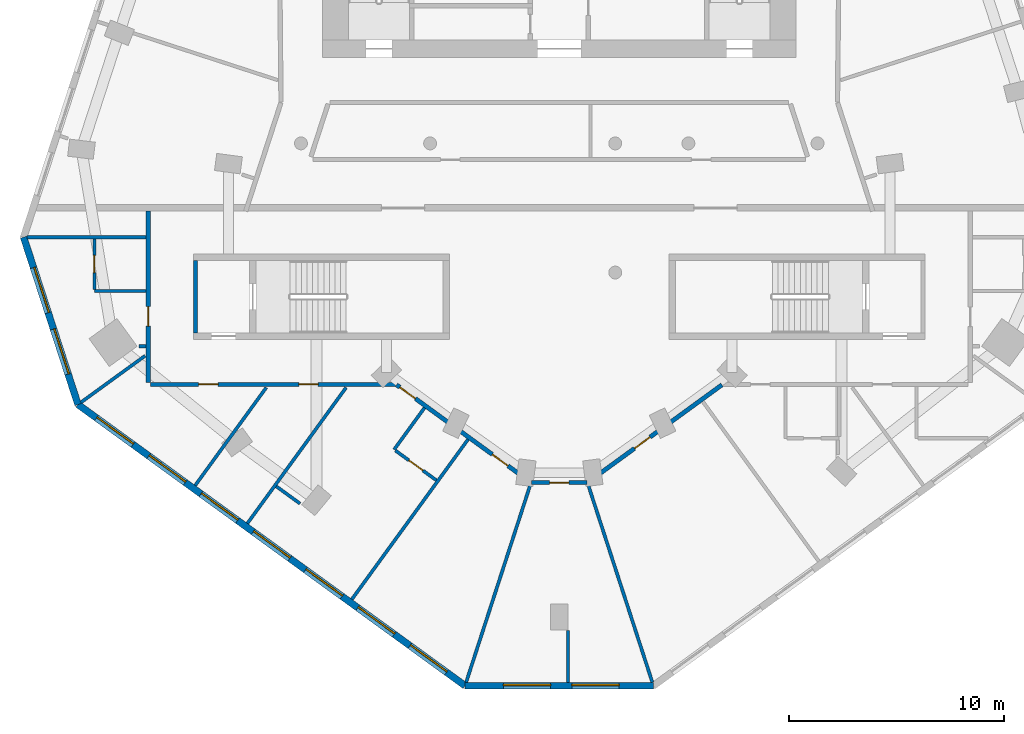
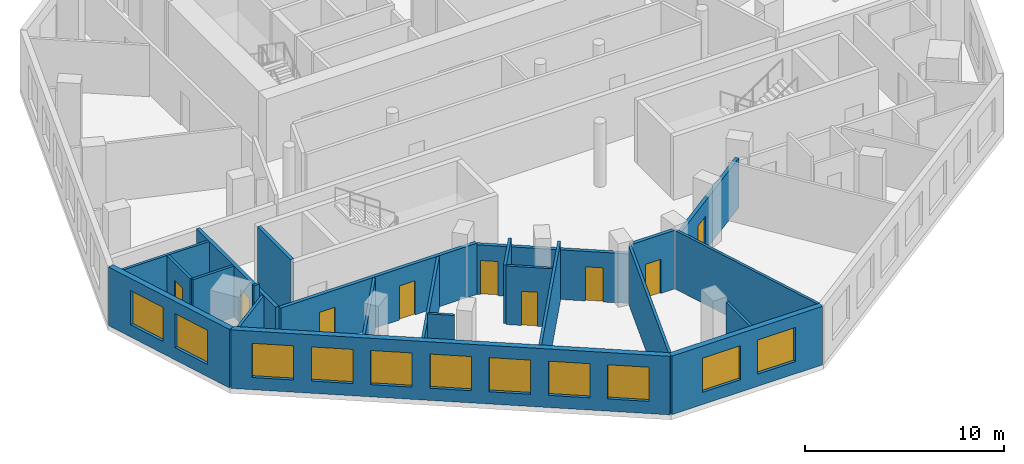
# One storey, part 2 of 9: 23 walls, 11 windows, 9 doors, 20 openings.
"""IFC4 building model written with IfcOpenShell, lengths in metres."""

from ifc_helpers import new_model, si_unit, direction, frame, frame_2d, origin, place, context, subcontext, project, spatial, rectangle, extrude, material, layer, layer_set, type_object, element, fill, save


model = new_model("IFC4")

# Units and contexts
model_context = context("Model", 3, precision=1e-05, world=origin(), true_north=direction((0.0, 1.0)))
body_context = subcontext(model_context, "Body", "Model", "MODEL_VIEW")
ifc_project = project(units=[si_unit("LENGTHUNIT", "METRE"), si_unit("AREAUNIT", "SQUARE_METRE"), si_unit("VOLUMEUNIT", "CUBIC_METRE"), si_unit("PLANEANGLEUNIT", "RADIAN"), si_unit("MASSUNIT", "GRAM", prefix="KILO")], contexts=[model_context])

# Site, building, storey
site_placement = place(None, origin())
site = spatial("IfcSite", under=ifc_project, at=site_placement, CompositionType="ELEMENT")
building_placement = place(site_placement, origin())
building = spatial("IfcBuilding", under=site, at=building_placement, Name="White Candle Pilgrim Tower", CompositionType="ELEMENT")
storey_placement = place(building_placement, frame((0.0, 0.0, 204.300048828125)))
storey = spatial("IfcBuildingStorey", under=building, at=storey_placement, Name="L47", CompositionType="ELEMENT", Elevation=204.300048828125)

# Wall
ifc_material_1 = material(Name="Concrete C50/60", Category="concrete")
ifc_layer_1 = layer(ifc_material_1, 0.199951171875)
ifc_layer_set_1 = layer_set([ifc_layer_1], Name="Core wall 200 mm Concrete C50/60")
wall_type_1 = type_object("IfcWallType", Name="Core wall 200 mm Concrete C50/60", PredefinedType="SHEAR", material=ifc_layer_set_1)
wall_1_placement = place(storey_placement, frame((53.10009765625, 58.199951171875, 0.0), z_axis=(0.0, 0.0, 1.0), x_axis=(0.0, 1.0, 0.0)))
element("IfcWall", 1, at=wall_1_placement, inside=storey, type_object=wall_type_1, Name="WL-L47-C03", PredefinedType="SHEAR", context=body_context, shape_type="SweptSolid", body=[
    extrude(rectangle(XDim=3.35009765625, YDim=0.199951171875, at=frame_2d((1.675048828125, 0.0))), origin(), (0.0, 0.0, 1.0), 3.89990234375),
])

# Wall, opening, door
ifc_material_2 = material(Name="Gypsum board on steel studs", Category="steel")
ifc_layer_2 = layer(ifc_material_2, 0.199951171875)
ifc_layer_set_2 = layer_set([ifc_layer_2], Name="Corridor wall 200 mm EI 45")
wall_type_2 = type_object("IfcWallType", Name="Corridor wall 200 mm EI 45", PredefinedType="PARTITIONING", material=ifc_layer_set_2)
wall_2_placement = place(storey_placement, frame((77.55908203125, 55.781005859375, 0.0), z_axis=(0.0, 0.0, 1.0), x_axis=(-0.80901190539, -0.587792256616, 0.0)))
wall_2 = element("IfcWall", 2, at=wall_2_placement, inside=storey, type_object=wall_type_2, Name="WL-L47-P008", PredefinedType="PARTITIONING", context=body_context, shape_type="SweptSolid", body=[
    extrude(rectangle(XDim=7.691162109375, YDim=0.199951171875, at=frame_2d((3.845703125, 0.0))), origin(), (0.0, 0.0, 1.0), 3.050048828125),
])
opening_1_placement = place(wall_2_placement, frame((4.125, 0.0, 0.0)))
opening_1 = element("IfcOpeningElement", 3, at=opening_1_placement, cuts=wall_2, Name="Opening T14-109", PredefinedType="OPENING", context=body_context, shape_type="SweptSolid", body=[
    extrude(rectangle(XDim=0.89990234375, YDim=2.10009765625, at=frame_2d((0.449951171875, 1.050048828125))), frame((0.0, 0.10986328125, 0.0), z_axis=(0.0, -1.0, 0.0), x_axis=(1.0, 0.0, 0.0)), (0.0, 0.0, 1.0), 0.219970703125),
])
ifc_material_3 = material(Name="Steel door leaf", Category="steel")
door_type_1 = type_object("IfcDoorType", Name="Fire door 900 x 2100 EI 30", OperationType="NOTDEFINED", PredefinedType="DOOR", material=ifc_material_3)
door_1_placement = place(opening_1_placement, origin())
door_1 = element("IfcDoor", 4, at=door_1_placement, inside=storey, type_object=door_type_1, Name="Door T14-109", OperationType="SINGLE_SWING_LEFT", OverallHeight=2.10009765625, OverallWidth=0.89990234375, PredefinedType="DOOR", context=body_context, shape_type="SweptSolid", body=[
    extrude(rectangle(XDim=0.89990234375, YDim=2.10009765625, at=frame_2d((0.449951171875, 1.050048828125))), frame((0.0, 0.02490234375, 0.0), z_axis=(0.0, -1.0, 0.0), x_axis=(1.0, 0.0, 0.0)), (0.0, 0.0, 1.0), 0.050048828125),
])
fill(opening_1, door_1)

wall_3_placement = place(storey_placement, frame((71.278076171875, 51.2412109375, 0.0), z_axis=(0.0, 0.0, 1.0), x_axis=(-1.0, 0.0, 0.0)))
wall_3 = element("IfcWall", 5, at=wall_3_placement, inside=storey, type_object=wall_type_2, Name="WL-L47-P009", PredefinedType="PARTITIONING", context=body_context, shape_type="SweptSolid", body=[
    extrude(rectangle(XDim=2.55615234375, YDim=0.199951171875, at=frame_2d((1.278076171875, 0.0))), origin(), (0.0, 0.0, 1.0), 3.599853515625),
])
opening_2_placement = place(wall_3_placement, frame((0.827880859375, 0.0, 0.0)))
opening_2 = element("IfcOpeningElement", 6, at=opening_2_placement, cuts=wall_3, Name="Opening T14-108", PredefinedType="OPENING", context=body_context, shape_type="SweptSolid", body=[
    extrude(rectangle(XDim=0.89990234375, YDim=2.10009765625, at=frame_2d((0.449951171875, 1.050048828125))), frame((0.0, 0.10986328125, 0.0), z_axis=(0.0, -1.0, 0.0), x_axis=(1.0, 0.0, 0.0)), (0.0, 0.0, 1.0), 0.219970703125),
])
door_2_placement = place(opening_2_placement, origin())
door_2 = element("IfcDoor", 7, at=door_2_placement, inside=storey, type_object=door_type_1, Name="Door T14-108", OperationType="SINGLE_SWING_RIGHT", OverallHeight=2.10009765625, OverallWidth=0.89990234375, PredefinedType="DOOR", context=body_context, shape_type="SweptSolid", body=[
    extrude(rectangle(XDim=0.89990234375, YDim=2.10009765625, at=frame_2d((0.449951171875, 1.050048828125))), frame((0.0, 0.02490234375, 0.0), z_axis=(0.0, -1.0, 0.0), x_axis=(1.0, 0.0, 0.0)), (0.0, 0.0, 1.0), 0.050048828125),
])
fill(opening_2, door_2)

# Wall, openings, doors
wall_4_placement = place(storey_placement, frame((68.6630859375, 51.26025390625, 0.0), z_axis=(0.0, 0.0, 1.0), x_axis=(-0.80901190539, 0.587792256616, 0.0)))
wall_4 = element("IfcWall", 8, at=wall_4_placement, inside=storey, type_object=wall_type_2, Name="WL-L47-P010", PredefinedType="PARTITIONING", context=body_context, shape_type="SweptSolid", body=[
    extrude(rectangle(XDim=7.691162109375, YDim=0.199951171875, at=frame_2d((3.845703125, 0.0))), origin(), (0.0, 0.0, 1.0), 3.050048828125),
])
opening_3_placement = place(wall_4_placement, frame((6.603759765625, 0.0, 0.0)))
opening_3 = element("IfcOpeningElement", 9, at=opening_3_placement, cuts=wall_4, Name="Opening T14-106", PredefinedType="OPENING", context=body_context, shape_type="SweptSolid", body=[
    extrude(rectangle(XDim=0.89990234375, YDim=2.10009765625, at=frame_2d((0.449951171875, 1.050048828125))), frame((0.0, 0.10986328125, 0.0), z_axis=(0.0, -1.0, 0.0), x_axis=(1.0, 0.0, 0.0)), (0.0, 0.0, 1.0), 0.219970703125),
])
opening_4_placement = place(wall_4_placement, frame((1.291015625, 0.0, 0.0)))
opening_4 = element("IfcOpeningElement", 10, at=opening_4_placement, cuts=wall_4, Name="Opening T14-107", PredefinedType="OPENING", context=body_context, shape_type="SweptSolid", body=[
    extrude(rectangle(XDim=0.89990234375, YDim=2.10009765625, at=frame_2d((0.449951171875, 1.050048828125))), frame((0.0, 0.10986328125, 0.0), z_axis=(0.0, -1.0, 0.0), x_axis=(1.0, 0.0, 0.0)), (0.0, 0.0, 1.0), 0.219970703125),
])
door_3_placement = place(opening_3_placement, origin())
door_3 = element("IfcDoor", 11, at=door_3_placement, inside=storey, type_object=door_type_1, Name="Door T14-106", OperationType="SINGLE_SWING_RIGHT", OverallHeight=2.10009765625, OverallWidth=0.89990234375, PredefinedType="DOOR", context=body_context, shape_type="SweptSolid", body=[
    extrude(rectangle(XDim=0.89990234375, YDim=2.10009765625, at=frame_2d((0.449951171875, 1.050048828125))), frame((0.0, 0.02490234375, 0.0), z_axis=(0.0, -1.0, 0.0), x_axis=(1.0, 0.0, 0.0)), (0.0, 0.0, 1.0), 0.050048828125),
])
fill(opening_3, door_3)
door_4_placement = place(opening_4_placement, origin())
door_4 = element("IfcDoor", 12, at=door_4_placement, inside=storey, type_object=door_type_1, Name="Door T14-107", OperationType="SINGLE_SWING_LEFT", OverallHeight=2.10009765625, OverallWidth=0.89990234375, PredefinedType="DOOR", context=body_context, shape_type="SweptSolid", body=[
    extrude(rectangle(XDim=0.89990234375, YDim=2.10009765625, at=frame_2d((0.449951171875, 1.050048828125))), frame((0.0, 0.02490234375, 0.0), z_axis=(0.0, -1.0, 0.0), x_axis=(1.0, 0.0, 0.0)), (0.0, 0.0, 1.0), 0.050048828125),
])
fill(opening_4, door_4)

wall_5_placement = place(storey_placement, frame((62.382080078125, 55.800048828125, 0.0), z_axis=(0.0, 0.0, 1.0), x_axis=(-1.0, 0.0, 0.0)))
wall_5 = element("IfcWall", 13, at=wall_5_placement, inside=storey, type_object=wall_type_2, Name="WL-L47-P011", PredefinedType="PARTITIONING", context=body_context, shape_type="SweptSolid", body=[
    extrude(rectangle(XDim=11.382080078125, YDim=0.199951171875, at=frame_2d((5.69091796875, 0.0))), origin(), (0.0, 0.0, 1.0), 3.14990234375),
])
opening_5_placement = place(wall_5_placement, frame((8.23583984375, 0.0, 0.0)))
opening_5 = element("IfcOpeningElement", 14, at=opening_5_placement, cuts=wall_5, Name="Opening T14-103", PredefinedType="OPENING", context=body_context, shape_type="SweptSolid", body=[
    extrude(rectangle(XDim=0.89990234375, YDim=2.10009765625, at=frame_2d((0.449951171875, 1.050048828125))), frame((0.0, 0.10986328125, 0.0), z_axis=(0.0, -1.0, 0.0), x_axis=(1.0, 0.0, 0.0)), (0.0, 0.0, 1.0), 0.219970703125),
])
opening_6_placement = place(wall_5_placement, frame((3.585205078125, 0.0, 0.0)))
opening_6 = element("IfcOpeningElement", 15, at=opening_6_placement, cuts=wall_5, Name="Opening T14-104", PredefinedType="OPENING", context=body_context, shape_type="SweptSolid", body=[
    extrude(rectangle(XDim=0.89990234375, YDim=2.10009765625, at=frame_2d((0.449951171875, 1.050048828125))), frame((0.0, 0.10986328125, 0.0), z_axis=(0.0, -1.0, 0.0), x_axis=(1.0, 0.0, 0.0)), (0.0, 0.0, 1.0), 0.219970703125),
])
door_5_placement = place(opening_5_placement, origin())
door_5 = element("IfcDoor", 16, at=door_5_placement, inside=storey, type_object=door_type_1, Name="Door T14-103", OperationType="SINGLE_SWING_LEFT", OverallHeight=2.10009765625, OverallWidth=0.89990234375, PredefinedType="DOOR", context=body_context, shape_type="SweptSolid", body=[
    extrude(rectangle(XDim=0.89990234375, YDim=2.10009765625, at=frame_2d((0.449951171875, 1.050048828125))), frame((0.0, 0.02490234375, 0.0), z_axis=(0.0, -1.0, 0.0), x_axis=(1.0, 0.0, 0.0)), (0.0, 0.0, 1.0), 0.050048828125),
])
fill(opening_5, door_5)
door_6_placement = place(opening_6_placement, origin())
door_6 = element("IfcDoor", 17, at=door_6_placement, inside=storey, type_object=door_type_1, Name="Door T14-104", OperationType="SINGLE_SWING_RIGHT", OverallHeight=2.10009765625, OverallWidth=0.89990234375, PredefinedType="DOOR", context=body_context, shape_type="SweptSolid", body=[
    extrude(rectangle(XDim=0.89990234375, YDim=2.10009765625, at=frame_2d((0.449951171875, 1.050048828125))), frame((0.0, 0.02490234375, 0.0), z_axis=(0.0, -1.0, 0.0), x_axis=(1.0, 0.0, 0.0)), (0.0, 0.0, 1.0), 0.050048828125),
])
fill(opening_6, door_6)

# Wall, opening, door
wall_6_placement = place(storey_placement, frame((50.89990234375, 55.89990234375, 0.0), z_axis=(0.0, 0.0, 1.0), x_axis=(0.0, 1.0, 0.0)))
wall_6 = element("IfcWall", 18, at=wall_6_placement, inside=storey, type_object=wall_type_2, Name="WL-L47-P012", PredefinedType="PARTITIONING", context=body_context, shape_type="SweptSolid", body=[
    extrude(rectangle(XDim=7.9501953125, YDim=0.199951171875, at=frame_2d((3.97509765625, 0.0))), origin(), (0.0, 0.0, 1.0), 3.14990234375),
])
opening_7_placement = place(wall_6_placement, frame((2.61376953125, 0.0, 0.0)))
opening_7 = element("IfcOpeningElement", 19, at=opening_7_placement, cuts=wall_6, Name="Opening T14-102", PredefinedType="OPENING", context=body_context, shape_type="SweptSolid", body=[
    extrude(rectangle(XDim=0.89990234375, YDim=2.10009765625, at=frame_2d((0.449951171875, 1.050048828125))), frame((0.0, 0.10986328125, 0.0), z_axis=(0.0, -1.0, 0.0), x_axis=(1.0, 0.0, 0.0)), (0.0, 0.0, 1.0), 0.219970703125),
])
door_7_placement = place(opening_7_placement, origin())
door_7 = element("IfcDoor", 20, at=door_7_placement, inside=storey, type_object=door_type_1, Name="Door T14-102", OperationType="SINGLE_SWING_RIGHT", OverallHeight=2.10009765625, OverallWidth=0.89990234375, PredefinedType="DOOR", context=body_context, shape_type="SweptSolid", body=[
    extrude(rectangle(XDim=0.89990234375, YDim=2.10009765625, at=frame_2d((0.449951171875, 1.050048828125))), frame((0.0, 0.02490234375, 0.0), z_axis=(0.0, -1.0, 0.0), x_axis=(1.0, 0.0, 0.0)), (0.0, 0.0, 1.0), 0.050048828125),
])
fill(opening_7, door_7)

# Wall, openings, windows
ifc_material_4 = material(Name="Precast concrete C40/50", Category="concrete")
ifc_layer_3 = layer(ifc_material_4, 0.320068359375)
ifc_layer_set_3 = layer_set([ifc_layer_3], Name="Facade wall EW1 precast concrete C40/50 pier wall with timber-lined reveals")
wall_type_3 = type_object("IfcWallType", Name="Facade wall EW1 precast concrete C40/50 pier wall with timber-lined reveals", PredefinedType="SOLIDWALL", material=ifc_layer_set_3)
wall_7_placement = place(storey_placement, frame((45.11279296875, 62.6416015625, 0.0), z_axis=(0.0, 0.0, 1.0), x_axis=(0.309006387978, -0.951059962457, 0.0)))
wall_7 = element("IfcWall", 21, at=wall_7_placement, inside=storey, type_object=wall_type_3, Name="Facade wall L47 W chamfer", PredefinedType="SOLIDWALL", context=body_context, shape_type="SweptSolid", body=[
    extrude(rectangle(XDim=8.175048828125, YDim=0.320068359375, at=frame_2d((4.08740234375, 0.0))), origin(), (0.0, 0.0, 1.0), 3.599853515625),
])
opening_8_placement = place(wall_7_placement, frame((1.487548828125, 0.0, 0.75)))
opening_8 = element("IfcOpeningElement", 22, at=opening_8_placement, cuts=wall_7, Name="Opening W4", PredefinedType="OPENING", context=body_context, shape_type="SweptSolid", body=[
    extrude(rectangle(XDim=2.199951171875, YDim=2.10009765625, at=frame_2d((1.10009765625, 1.050048828125))), frame((0.0, 0.169921875, 0.0), z_axis=(0.0, -1.0, 0.0), x_axis=(1.0, 0.0, 0.0)), (0.0, 0.0, 1.0), 0.340087890625),
])
opening_9_placement = place(wall_7_placement, frame((4.487548828125, 0.0, 0.75)))
opening_9 = element("IfcOpeningElement", 23, at=opening_9_placement, cuts=wall_7, Name="Opening W4", PredefinedType="OPENING", context=body_context, shape_type="SweptSolid", body=[
    extrude(rectangle(XDim=2.199951171875, YDim=2.10009765625, at=frame_2d((1.10009765625, 1.050048828125))), frame((0.0, 0.169921875, 0.0), z_axis=(0.0, -1.0, 0.0), x_axis=(1.0, 0.0, 0.0)), (0.0, 0.0, 1.0), 0.340087890625),
])
ifc_material_5 = material(Name="Timber frame with triple glazing", Category="wood")
window_type_1 = type_object("IfcWindowType", Name="Window W4 2200x2100 timber frame triple glazing", PartitioningType="SINGLE_PANEL", PredefinedType="WINDOW", material=ifc_material_5)
window_1_placement = place(opening_8_placement, origin())
window_1 = element("IfcWindow", 24, at=window_1_placement, inside=storey, type_object=window_type_1, Name="Window W4 L47 W chamfer 1", OverallHeight=2.10009765625, OverallWidth=2.199951171875, PartitioningType="SINGLE_PANEL", PredefinedType="WINDOW", context=body_context, shape_type="SweptSolid", body=[
    extrude(rectangle(XDim=2.199951171875, YDim=2.10009765625, at=frame_2d((1.10009765625, 1.050048828125))), frame((0.0, 0.070068359375, 0.0), z_axis=(0.0, -1.0, 0.0), x_axis=(1.0, 0.0, 0.0)), (0.0, 0.0, 1.0), 0.06005859375),
])
fill(opening_8, window_1)
window_2_placement = place(opening_9_placement, origin())
window_2 = element("IfcWindow", 25, at=window_2_placement, inside=storey, type_object=window_type_1, Name="Window W4 L47 W chamfer 2", OverallHeight=2.10009765625, OverallWidth=2.199951171875, PartitioningType="SINGLE_PANEL", PredefinedType="WINDOW", context=body_context, shape_type="SweptSolid", body=[
    extrude(rectangle(XDim=2.199951171875, YDim=2.10009765625, at=frame_2d((1.10009765625, 1.050048828125))), frame((0.0, 0.070068359375, 0.0), z_axis=(0.0, -1.0, 0.0), x_axis=(1.0, 0.0, 0.0)), (0.0, 0.0, 1.0), 0.06005859375),
])
fill(opening_9, window_2)

wall_8_placement = place(storey_placement, frame((47.638916015625, 54.86669921875, 0.0), z_axis=(0.0, 0.0, 1.0), x_axis=(0.809017634756, -0.587784370883, 0.0)))
wall_8 = element("IfcWall", 26, at=wall_8_placement, inside=storey, type_object=wall_type_3, Name="Facade wall L47 SW", PredefinedType="SOLIDWALL", context=body_context, shape_type="SweptSolid", body=[
    extrude(rectangle(XDim=22.228759765625, YDim=0.320068359375, at=frame_2d((11.1142578125, 0.0))), origin(), (0.0, 0.0, 1.0), 3.599853515625),
])
opening_10_placement = place(wall_8_placement, frame((1.064208984375, 0.0, 0.75)))
opening_10 = element("IfcOpeningElement", 27, at=opening_10_placement, cuts=wall_8, Name="Opening W3", PredefinedType="OPENING", context=body_context, shape_type="SweptSolid", body=[
    extrude(rectangle(XDim=2.10009765625, YDim=2.10009765625, at=frame_2d((1.050048828125, 1.050048828125))), frame((0.0, 0.169921875, 0.0), z_axis=(0.0, -1.0, 0.0), x_axis=(1.0, 0.0, 0.0)), (0.0, 0.0, 1.0), 0.340087890625),
])
opening_11_placement = place(wall_8_placement, frame((4.064208984375, 0.0, 0.75)))
opening_11 = element("IfcOpeningElement", 28, at=opening_11_placement, cuts=wall_8, Name="Opening W3", PredefinedType="OPENING", context=body_context, shape_type="SweptSolid", body=[
    extrude(rectangle(XDim=2.10009765625, YDim=2.10009765625, at=frame_2d((1.050048828125, 1.050048828125))), frame((0.0, 0.169921875, 0.0), z_axis=(0.0, -1.0, 0.0), x_axis=(1.0, 0.0, 0.0)), (0.0, 0.0, 1.0), 0.340087890625),
])
opening_12_placement = place(wall_8_placement, frame((7.064208984375, 0.0, 0.75)))
opening_12 = element("IfcOpeningElement", 29, at=opening_12_placement, cuts=wall_8, Name="Opening W3", PredefinedType="OPENING", context=body_context, shape_type="SweptSolid", body=[
    extrude(rectangle(XDim=2.10009765625, YDim=2.10009765625, at=frame_2d((1.050048828125, 1.050048828125))), frame((0.0, 0.169921875, 0.0), z_axis=(0.0, -1.0, 0.0), x_axis=(1.0, 0.0, 0.0)), (0.0, 0.0, 1.0), 0.340087890625),
])
opening_13_placement = place(wall_8_placement, frame((10.064208984375, 0.0, 0.75)))
opening_13 = element("IfcOpeningElement", 30, at=opening_13_placement, cuts=wall_8, Name="Opening W3", PredefinedType="OPENING", context=body_context, shape_type="SweptSolid", body=[
    extrude(rectangle(XDim=2.10009765625, YDim=2.10009765625, at=frame_2d((1.050048828125, 1.050048828125))), frame((0.0, 0.169921875, 0.0), z_axis=(0.0, -1.0, 0.0), x_axis=(1.0, 0.0, 0.0)), (0.0, 0.0, 1.0), 0.340087890625),
])
opening_14_placement = place(wall_8_placement, frame((13.064208984375, 0.0, 0.75)))
opening_14 = element("IfcOpeningElement", 31, at=opening_14_placement, cuts=wall_8, Name="Opening W3", PredefinedType="OPENING", context=body_context, shape_type="SweptSolid", body=[
    extrude(rectangle(XDim=2.10009765625, YDim=2.10009765625, at=frame_2d((1.050048828125, 1.050048828125))), frame((0.0, 0.169921875, 0.0), z_axis=(0.0, -1.0, 0.0), x_axis=(1.0, 0.0, 0.0)), (0.0, 0.0, 1.0), 0.340087890625),
])
opening_15_placement = place(wall_8_placement, frame((16.064208984375, 0.0, 0.75)))
opening_15 = element("IfcOpeningElement", 32, at=opening_15_placement, cuts=wall_8, Name="Opening W3", PredefinedType="OPENING", context=body_context, shape_type="SweptSolid", body=[
    extrude(rectangle(XDim=2.10009765625, YDim=2.10009765625, at=frame_2d((1.050048828125, 1.050048828125))), frame((0.0, 0.169921875, 0.0), z_axis=(0.0, -1.0, 0.0), x_axis=(1.0, 0.0, 0.0)), (0.0, 0.0, 1.0), 0.340087890625),
])
opening_16_placement = place(wall_8_placement, frame((19.064208984375, 0.0, 0.75)))
opening_16 = element("IfcOpeningElement", 33, at=opening_16_placement, cuts=wall_8, Name="Opening W3", PredefinedType="OPENING", context=body_context, shape_type="SweptSolid", body=[
    extrude(rectangle(XDim=2.10009765625, YDim=2.10009765625, at=frame_2d((1.050048828125, 1.050048828125))), frame((0.0, 0.169921875, 0.0), z_axis=(0.0, -1.0, 0.0), x_axis=(1.0, 0.0, 0.0)), (0.0, 0.0, 1.0), 0.340087890625),
])
window_type_2 = type_object("IfcWindowType", Name="Window W3 2100x2100 timber frame triple glazing", PartitioningType="SINGLE_PANEL", PredefinedType="WINDOW", material=ifc_material_5)
window_3_placement = place(opening_10_placement, origin())
window_3 = element("IfcWindow", 34, at=window_3_placement, inside=storey, type_object=window_type_2, Name="Window W3 L47 SW 1", OverallHeight=2.10009765625, OverallWidth=2.10009765625, PartitioningType="SINGLE_PANEL", PredefinedType="WINDOW", context=body_context, shape_type="SweptSolid", body=[
    extrude(rectangle(XDim=2.10009765625, YDim=2.10009765625, at=frame_2d((1.050048828125, 1.050048828125))), frame((0.0, 0.070068359375, 0.0), z_axis=(0.0, -1.0, 0.0), x_axis=(1.0, 0.0, 0.0)), (0.0, 0.0, 1.0), 0.06005859375),
])
fill(opening_10, window_3)
window_4_placement = place(opening_11_placement, origin())
window_4 = element("IfcWindow", 35, at=window_4_placement, inside=storey, type_object=window_type_2, Name="Window W3 L47 SW 2", OverallHeight=2.10009765625, OverallWidth=2.10009765625, PartitioningType="SINGLE_PANEL", PredefinedType="WINDOW", context=body_context, shape_type="SweptSolid", body=[
    extrude(rectangle(XDim=2.10009765625, YDim=2.10009765625, at=frame_2d((1.050048828125, 1.050048828125))), frame((0.0, 0.070068359375, 0.0), z_axis=(0.0, -1.0, 0.0), x_axis=(1.0, 0.0, 0.0)), (0.0, 0.0, 1.0), 0.06005859375),
])
fill(opening_11, window_4)
window_5_placement = place(opening_12_placement, origin())
window_5 = element("IfcWindow", 36, at=window_5_placement, inside=storey, type_object=window_type_2, Name="Window W3 L47 SW 3", OverallHeight=2.10009765625, OverallWidth=2.10009765625, PartitioningType="SINGLE_PANEL", PredefinedType="WINDOW", context=body_context, shape_type="SweptSolid", body=[
    extrude(rectangle(XDim=2.10009765625, YDim=2.10009765625, at=frame_2d((1.050048828125, 1.050048828125))), frame((0.0, 0.070068359375, 0.0), z_axis=(0.0, -1.0, 0.0), x_axis=(1.0, 0.0, 0.0)), (0.0, 0.0, 1.0), 0.06005859375),
])
fill(opening_12, window_5)
window_6_placement = place(opening_13_placement, origin())
window_6 = element("IfcWindow", 37, at=window_6_placement, inside=storey, type_object=window_type_2, Name="Window W3 L47 SW 4", OverallHeight=2.10009765625, OverallWidth=2.10009765625, PartitioningType="SINGLE_PANEL", PredefinedType="WINDOW", context=body_context, shape_type="SweptSolid", body=[
    extrude(rectangle(XDim=2.10009765625, YDim=2.10009765625, at=frame_2d((1.050048828125, 1.050048828125))), frame((0.0, 0.070068359375, 0.0), z_axis=(0.0, -1.0, 0.0), x_axis=(1.0, 0.0, 0.0)), (0.0, 0.0, 1.0), 0.06005859375),
])
fill(opening_13, window_6)
window_7_placement = place(opening_14_placement, origin())
window_7 = element("IfcWindow", 38, at=window_7_placement, inside=storey, type_object=window_type_2, Name="Window W3 L47 SW 5", OverallHeight=2.10009765625, OverallWidth=2.10009765625, PartitioningType="SINGLE_PANEL", PredefinedType="WINDOW", context=body_context, shape_type="SweptSolid", body=[
    extrude(rectangle(XDim=2.10009765625, YDim=2.10009765625, at=frame_2d((1.050048828125, 1.050048828125))), frame((0.0, 0.070068359375, 0.0), z_axis=(0.0, -1.0, 0.0), x_axis=(1.0, 0.0, 0.0)), (0.0, 0.0, 1.0), 0.06005859375),
])
fill(opening_14, window_7)
window_8_placement = place(opening_15_placement, origin())
window_8 = element("IfcWindow", 39, at=window_8_placement, inside=storey, type_object=window_type_2, Name="Window W3 L47 SW 6", OverallHeight=2.10009765625, OverallWidth=2.10009765625, PartitioningType="SINGLE_PANEL", PredefinedType="WINDOW", context=body_context, shape_type="SweptSolid", body=[
    extrude(rectangle(XDim=2.10009765625, YDim=2.10009765625, at=frame_2d((1.050048828125, 1.050048828125))), frame((0.0, 0.070068359375, 0.0), z_axis=(0.0, -1.0, 0.0), x_axis=(1.0, 0.0, 0.0)), (0.0, 0.0, 1.0), 0.06005859375),
])
fill(opening_15, window_8)
window_9_placement = place(opening_16_placement, origin())
window_9 = element("IfcWindow", 40, at=window_9_placement, inside=storey, type_object=window_type_2, Name="Window W3 L47 SW 7", OverallHeight=2.10009765625, OverallWidth=2.10009765625, PartitioningType="SINGLE_PANEL", PredefinedType="WINDOW", context=body_context, shape_type="SweptSolid", body=[
    extrude(rectangle(XDim=2.10009765625, YDim=2.10009765625, at=frame_2d((1.050048828125, 1.050048828125))), frame((0.0, 0.070068359375, 0.0), z_axis=(0.0, -1.0, 0.0), x_axis=(1.0, 0.0, 0.0)), (0.0, 0.0, 1.0), 0.06005859375),
])
fill(opening_16, window_9)

wall_9_placement = place(storey_placement, frame((65.622314453125, 41.801025390625, 0.0), z_axis=(0.0, 0.0, 1.0), x_axis=(1.0, 0.0, 0.0)))
wall_9 = element("IfcWall", 41, at=wall_9_placement, inside=storey, type_object=wall_type_3, Name="Facade wall L47 S chamfer", PredefinedType="SOLIDWALL", context=body_context, shape_type="SweptSolid", body=[
    extrude(rectangle(XDim=8.75537109375, YDim=0.320068359375, at=frame_2d((4.377685546875, 0.0))), origin(), (0.0, 0.0, 1.0), 3.599853515625),
])
opening_17_placement = place(wall_9_placement, frame((1.77783203125, 0.0, 0.75)))
opening_17 = element("IfcOpeningElement", 42, at=opening_17_placement, cuts=wall_9, Name="Opening W4", PredefinedType="OPENING", context=body_context, shape_type="SweptSolid", body=[
    extrude(rectangle(XDim=2.199951171875, YDim=2.10009765625, at=frame_2d((1.10009765625, 1.050048828125))), frame((0.0, 0.169921875, 0.0), z_axis=(0.0, -1.0, 0.0), x_axis=(1.0, 0.0, 0.0)), (0.0, 0.0, 1.0), 0.340087890625),
])
opening_18_placement = place(wall_9_placement, frame((4.962890625, 0.0, 0.75)))
opening_18 = element("IfcOpeningElement", 43, at=opening_18_placement, cuts=wall_9, Name="Opening W4", PredefinedType="OPENING", context=body_context, shape_type="SweptSolid", body=[
    extrude(rectangle(XDim=2.199951171875, YDim=2.10009765625, at=frame_2d((1.10009765625, 1.050048828125))), frame((0.0, 0.169921875, 0.0), z_axis=(0.0, -1.0, 0.0), x_axis=(1.0, 0.0, 0.0)), (0.0, 0.0, 1.0), 0.340087890625),
])
window_10_placement = place(opening_17_placement, origin())
window_10 = element("IfcWindow", 44, at=window_10_placement, inside=storey, type_object=window_type_1, Name="Window W4 L47 S chamfer 1", OverallHeight=2.10009765625, OverallWidth=2.199951171875, PartitioningType="SINGLE_PANEL", PredefinedType="WINDOW", context=body_context, shape_type="SweptSolid", body=[
    extrude(rectangle(XDim=2.199951171875, YDim=2.10009765625, at=frame_2d((1.10009765625, 1.050048828125))), frame((0.0, 0.070068359375, 0.0), z_axis=(0.0, -1.0, 0.0), x_axis=(1.0, 0.0, 0.0)), (0.0, 0.0, 1.0), 0.06005859375),
])
fill(opening_17, window_10)
window_11_placement = place(opening_18_placement, origin())
window_11 = element("IfcWindow", 45, at=window_11_placement, inside=storey, type_object=window_type_1, Name="Window W4 L47 S chamfer 2", OverallHeight=2.10009765625, OverallWidth=2.199951171875, PartitioningType="SINGLE_PANEL", PredefinedType="WINDOW", context=body_context, shape_type="SweptSolid", body=[
    extrude(rectangle(XDim=2.199951171875, YDim=2.10009765625, at=frame_2d((1.10009765625, 1.050048828125))), frame((0.0, 0.070068359375, 0.0), z_axis=(0.0, -1.0, 0.0), x_axis=(1.0, 0.0, 0.0)), (0.0, 0.0, 1.0), 0.06005859375),
])
fill(opening_18, window_11)

# Walls
ifc_layer_4 = layer(ifc_material_2, 0.14990234375)
ifc_layer_set_4 = layer_set([ifc_layer_4], Name="Partition 150 mm EI 60")
wall_type_4 = type_object("IfcWallType", Name="Partition 150 mm EI 60", PredefinedType="PARTITIONING", material=ifc_layer_set_4)
wall_10_placement = place(storey_placement, frame((45.281005859375, 62.6416015625, 0.0), z_axis=(0.0, 0.0, 1.0), x_axis=(1.0, 0.0, 0.0)))
element("IfcWall", 46, at=wall_10_placement, inside=storey, type_object=wall_type_4, Name="WL-L47-P018", PredefinedType="PARTITIONING", context=body_context, shape_type="SweptSolid", body=[
    extrude(rectangle(XDim=5.51904296875, YDim=0.14990234375, at=frame_2d((2.759521484375, 0.0))), origin(), (0.0, 0.0, 1.0), 3.14990234375),
])
wall_11_placement = place(storey_placement, frame((47.775146484375, 54.965576171875, 0.0), z_axis=(0.0, 0.0, 1.0), x_axis=(0.809028266422, 0.587769737338, 0.0)))
element("IfcWall", 47, at=wall_11_placement, inside=storey, type_object=wall_type_4, Name="WL-L47-P019", PredefinedType="PARTITIONING", context=body_context, shape_type="SweptSolid", body=[
    extrude(rectangle(XDim=3.684326171875, YDim=0.14990234375, at=frame_2d((1.84228515625, 0.0))), origin(), (0.0, 0.0, 1.0), 3.14990234375),
])
for number, where, z_axis, x_axis, name in (
    (48, (65.67431640625, 41.961181640625, 0.0), (0.0, 0.0, 1.0), (0.309002171774, 0.951061332322, 0.0), "WL-L47-P020"),
    (49, (74.32568359375, 41.961181640625, 0.0), (0.0, 0.0, 1.0), (-0.309002171774, 0.951061332322, 0.0), "WL-L47-P021"),
):
    element("IfcWall", number, at=place(storey_placement, frame(where, z_axis=z_axis, x_axis=x_axis)), inside=storey, type_object=wall_type_4, Name=name, PredefinedType="PARTITIONING", context=body_context, shape_type="SweptSolid", body=[
        extrude(rectangle(XDim=9.67236328125, YDim=0.14990234375, at=frame_2d((4.836181640625, 0.0))), origin(), (0.0, 0.0, 1.0), 3.599853515625),
    ])
wall_12_placement = place(storey_placement, frame((50.800048828125, 60.1416015625, 0.0), z_axis=(0.0, 0.0, 1.0), x_axis=(-1.0, 0.0, 0.0)))
element("IfcWall", 50, at=wall_12_placement, inside=storey, type_object=wall_type_4, Name="WL-L47-P026", PredefinedType="PARTITIONING", context=body_context, shape_type="SweptSolid", body=[
    extrude(rectangle(XDim=2.400146484375, YDim=0.14990234375, at=frame_2d((1.2001953125, 0.0))), origin(), (0.0, 0.0, 1.0), 3.14990234375),
])

# Wall, opening, door
wall_13_placement = place(storey_placement, frame((48.39990234375, 62.566650390625, 0.0), z_axis=(0.0, 0.0, 1.0), x_axis=(0.0, -1.0, 0.0)))
wall_13 = element("IfcWall", 51, at=wall_13_placement, inside=storey, type_object=wall_type_4, Name="WL-L47-P027", PredefinedType="PARTITIONING", context=body_context, shape_type="SweptSolid", body=[
    extrude(rectangle(XDim=2.35009765625, YDim=0.14990234375, at=frame_2d((1.175048828125, 0.0))), origin(), (0.0, 0.0, 1.0), 3.14990234375),
])
opening_19_placement = place(wall_13_placement, frame((0.77490234375, 0.0, 0.0)))
opening_19 = element("IfcOpeningElement", 52, at=opening_19_placement, cuts=wall_13, Name="Opening T14-101", PredefinedType="OPENING", context=body_context, shape_type="SweptSolid", body=[
    extrude(rectangle(XDim=0.800048828125, YDim=2.10009765625, at=frame_2d((0.39990234375, 1.050048828125))), frame((0.0, 0.0849609375, 0.0), z_axis=(0.0, -1.0, 0.0), x_axis=(1.0, 0.0, 0.0)), (0.0, 0.0, 1.0), 0.169921875),
])
door_type_2 = type_object("IfcDoorType", Name="Fire door 800 x 2100 EI 30", OperationType="NOTDEFINED", PredefinedType="DOOR", material=ifc_material_3)
door_8_placement = place(opening_19_placement, frame((0.800048828125, 0.0, 0.0), z_axis=(0.0, 0.0, 1.0), x_axis=(-1.0, 0.0, 0.0)))
door_8 = element("IfcDoor", 53, at=door_8_placement, inside=storey, type_object=door_type_2, Name="Door T14-101", OperationType="SINGLE_SWING_RIGHT", OverallHeight=2.10009765625, OverallWidth=0.800048828125, PredefinedType="DOOR", context=body_context, shape_type="SweptSolid", body=[
    extrude(rectangle(XDim=0.800048828125, YDim=2.10009765625, at=frame_2d((0.39990234375, 1.050048828125))), frame((0.0, 0.02490234375, 0.0), z_axis=(0.0, -1.0, 0.0), x_axis=(1.0, 0.0, 0.0)), (0.0, 0.0, 1.0), 0.050048828125),
])
fill(opening_19, door_8)

# Walls
wall_14_placement = place(storey_placement, frame((53.083984375, 51.1083984375, 0.0), z_axis=(0.0, 0.0, 1.0), x_axis=(0.587804932614, 0.809002695419, 0.0)))
element("IfcWall", 54, at=wall_14_placement, inside=storey, type_object=wall_type_4, Name="WL-L47-P028", PredefinedType="PARTITIONING", context=body_context, shape_type="SweptSolid", body=[
    extrude(rectangle(XDim=5.621337890625, YDim=0.14990234375, at=frame_2d((2.810546875, 0.0))), origin(), (0.0, 0.0, 1.0), 3.14990234375),
])
wall_15_placement = place(storey_placement, frame((55.510986328125, 49.344970703125, 0.0), z_axis=(0.0, 0.0, 1.0), x_axis=(0.587782705134, 0.809018844988, 0.0)))
element("IfcWall", 55, at=wall_15_placement, inside=storey, type_object=wall_type_4, Name="WL-L47-P029", PredefinedType="PARTITIONING", context=body_context, shape_type="SweptSolid", body=[
    extrude(rectangle(XDim=7.80078125, YDim=0.14990234375, at=frame_2d((3.900390625, 0.0))), origin(), (0.0, 0.0, 1.0), 3.14990234375),
])
wall_16_placement = place(storey_placement, frame((60.365234375, 45.818359375, 0.0), z_axis=(0.0, 0.0, 1.0), x_axis=(0.587777877013, 0.809022352778, 0.0)))
element("IfcWall", 56, at=wall_16_placement, inside=storey, type_object=wall_type_4, Name="WL-L47-P030", PredefinedType="PARTITIONING", context=body_context, shape_type="SweptSolid", body=[
    extrude(rectangle(XDim=9.179931640625, YDim=0.14990234375, at=frame_2d((4.58984375, 0.0))), origin(), (0.0, 0.0, 1.0), 3.599853515625),
])
wall_17_placement = place(storey_placement, frame((63.738525390625, 54.714599609375, 0.0), z_axis=(0.0, 0.0, 1.0), x_axis=(-0.587772420479, -0.809026317077, 0.0)))
element("IfcWall", 57, at=wall_17_placement, inside=storey, type_object=wall_type_4, Name="WL-L47-P031", PredefinedType="PARTITIONING", context=body_context, shape_type="SweptSolid", body=[
    extrude(rectangle(XDim=2.39990234375, YDim=0.14990234375, at=frame_2d((1.199951171875, 0.0))), origin(), (0.0, 0.0, 1.0), 3.599853515625),
])

# Wall, opening, door
wall_18_placement = place(storey_placement, frame((64.289794921875, 51.347412109375, 0.0), z_axis=(0.0, 0.0, 1.0), x_axis=(-0.808996573949, 0.587813357571, 0.0)))
wall_18 = element("IfcWall", 58, at=wall_18_placement, inside=storey, type_object=wall_type_4, Name="WL-L47-P032", PredefinedType="PARTITIONING", context=body_context, shape_type="SweptSolid", body=[
    extrude(rectangle(XDim=2.35009765625, YDim=0.14990234375, at=frame_2d((1.175048828125, 0.0))), origin(), (0.0, 0.0, 1.0), 3.599853515625),
])
opening_20_placement = place(wall_18_placement, frame((0.77490234375, 0.0, 0.0)))
opening_20 = element("IfcOpeningElement", 59, at=opening_20_placement, cuts=wall_18, Name="Opening T14-105", PredefinedType="OPENING", context=body_context, shape_type="SweptSolid", body=[
    extrude(rectangle(XDim=0.800048828125, YDim=2.10009765625, at=frame_2d((0.39990234375, 1.050048828125))), frame((0.0, 0.0849609375, 0.0), z_axis=(0.0, -1.0, 0.0), x_axis=(1.0, 0.0, 0.0)), (0.0, 0.0, 1.0), 0.169921875),
])
door_9_placement = place(opening_20_placement, origin())
door_9 = element("IfcDoor", 60, at=door_9_placement, inside=storey, type_object=door_type_2, Name="Door T14-105", OperationType="SINGLE_SWING_LEFT", OverallHeight=2.10009765625, OverallWidth=0.800048828125, PredefinedType="DOOR", context=body_context, shape_type="SweptSolid", body=[
    extrude(rectangle(XDim=0.800048828125, YDim=2.10009765625, at=frame_2d((0.39990234375, 1.050048828125))), frame((0.0, 0.02490234375, 0.0), z_axis=(0.0, -1.0, 0.0), x_axis=(1.0, 0.0, 0.0)), (0.0, 0.0, 1.0), 0.050048828125),
])
fill(opening_20, door_9)

# Walls
wall_19_placement = place(storey_placement, frame((50.477294921875, 57.57568359375, 0.0), z_axis=(0.0, 0.0, 1.0), x_axis=(1.0, 0.0, 0.0)))
element("IfcWall", 61, at=wall_19_placement, inside=storey, type_object=wall_type_4, Name="WL-L47-P044", PredefinedType="PARTITIONING", context=body_context, shape_type="SweptSolid", body=[
    extrude(rectangle(XDim=0.32275390625, YDim=0.14990234375, at=frame_2d((0.161376953125, 0.0))), origin(), (0.0, 0.0, 1.0), 3.599853515625),
])
wall_20_placement = place(storey_placement, frame((57.954833984375, 50.264892578125, 0.0), z_axis=(0.0, 0.0, 1.0), x_axis=(-0.809053951213, 0.587734382205, 0.0)))
element("IfcWall", 62, at=wall_20_placement, inside=storey, type_object=wall_type_4, Name="WL-L47-P045", PredefinedType="PARTITIONING", context=body_context, shape_type="SweptSolid", body=[
    extrude(rectangle(XDim=1.361328125, YDim=0.14990234375, at=frame_2d((0.6806640625, 0.0))), origin(), (0.0, 0.0, 1.0), 3.599853515625),
])
wall_21_placement = place(storey_placement, frame((70.409912109375, 44.3701171875, 0.0), z_axis=(0.0, 0.0, 1.0), x_axis=(0.0, -1.0, 0.0)))
element("IfcWall", 63, at=wall_21_placement, inside=storey, type_object=wall_type_4, Name="WL-L47-P046", PredefinedType="PARTITIONING", context=body_context, shape_type="SweptSolid", body=[
    extrude(rectangle(XDim=2.408935546875, YDim=0.14990234375, at=frame_2d((1.20458984375, 0.0))), origin(), (0.0, 0.0, 1.0), 3.599853515625),
])

save(model, "model.ifc")
